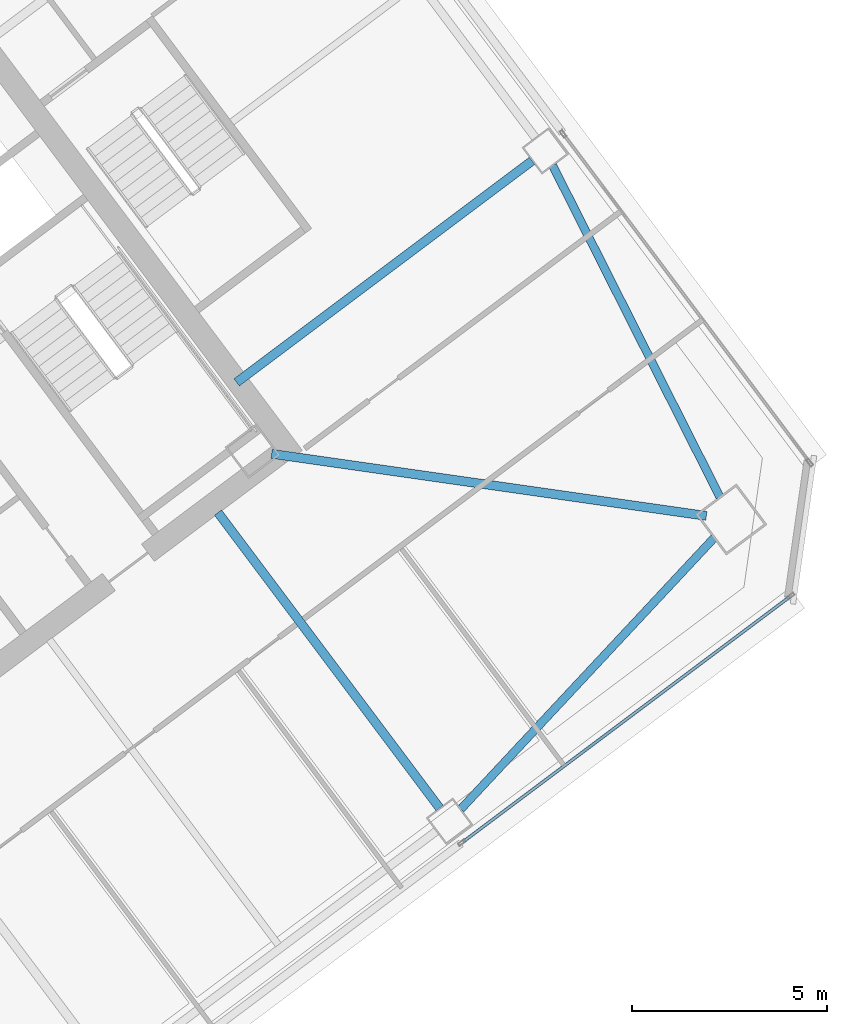
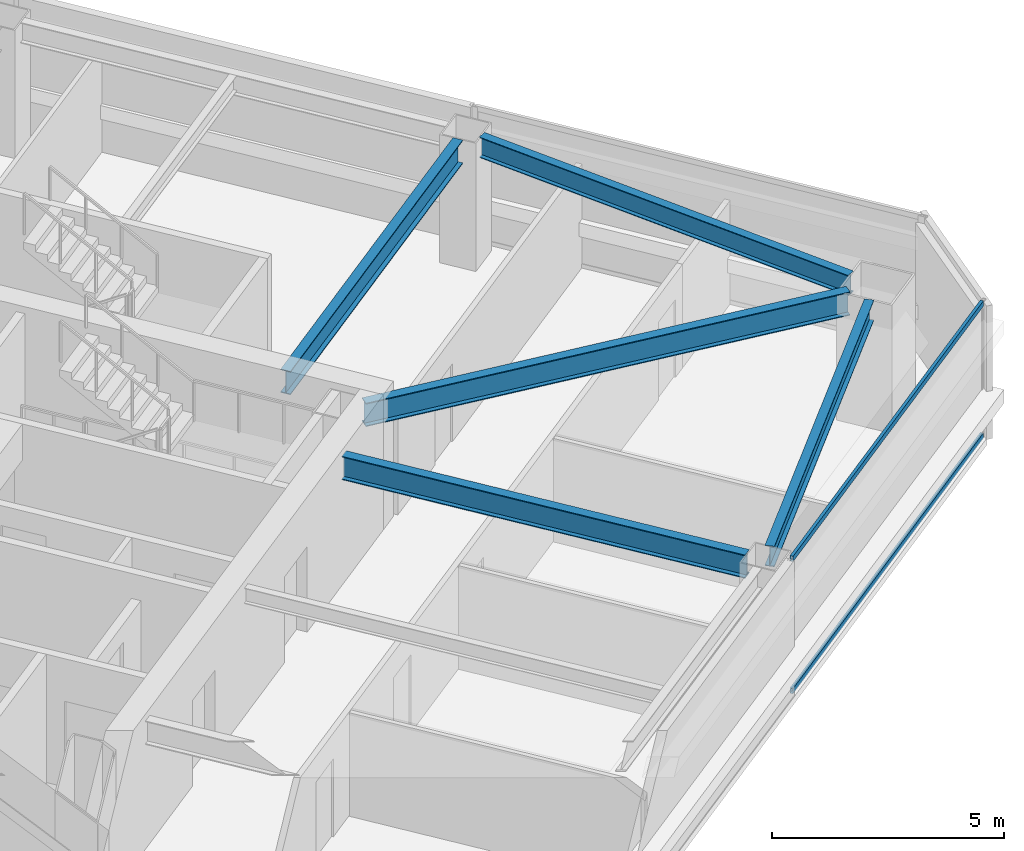
# One storey, part 23 of 41: 5 beams, 2 members, 1 element without a shape of its own.
"""IFC4 building model written with IfcOpenShell, lengths in metres."""

from ifc_helpers import new_model, si_unit, direction, frame, origin, origin_2d, place, context, subcontext, project, spatial, hollow_rectangle, i_section, extrude, material, material_profile, profile_set, type_object, element, aggregate, save


model = new_model("IFC4")

# Units and contexts
model_context = context("Model", 3, precision=1e-05, world=origin(), true_north=direction((0.0, 1.0)))
body_context = subcontext(model_context, "Body", "Model", "MODEL_VIEW")
ifc_project = project(units=[si_unit("LENGTHUNIT", "METRE"), si_unit("AREAUNIT", "SQUARE_METRE"), si_unit("VOLUMEUNIT", "CUBIC_METRE"), si_unit("PLANEANGLEUNIT", "RADIAN"), si_unit("MASSUNIT", "GRAM", prefix="KILO")], contexts=[model_context])

# Site, building, storey
site_placement = place(None, origin())
site = spatial("IfcSite", under=ifc_project, at=site_placement, CompositionType="ELEMENT")
building_placement = place(site_placement, origin())
building = spatial("IfcBuilding", under=site, at=building_placement, Name="Tashvorn Skyway Center", CompositionType="ELEMENT")
storey_placement = place(building_placement, frame((0.0, 0.0, 117.949951171875)))
storey = spatial("IfcBuildingStorey", under=building, at=storey_placement, Name="L31", CompositionType="ELEMENT", Elevation=117.949951171875)

# Beams
ifc_material_1 = material(Name="Steel ASTM A992 Grade 50", Category="steel")
ifc_material_profile_1 = material_profile(ifc_material_1, i_section(OverallWidth=0.22998046875, OverallDepth=0.616943359375, WebThickness=0.01318359375, FlangeThickness=0.022216796875, at=origin_2d()), Name="W24X94")
ifc_profile_set_1 = profile_set([ifc_material_profile_1], Name="Steel ASTM A992 Grade 50")
beam_type_1 = type_object("IfcBeamType", Name="BM-BEAM-W24X94", PredefinedType="BEAM", material=ifc_profile_set_1)
beam_1_placement = place(storey_placement, frame((135.4814453125, 28.93115234375, 3.0615234375), z_axis=(-0.989948189712, 0.141430483583, 0.0), x_axis=(-0.141430483583, -0.989948189712, 0.0)))
element("IfcBeam", 1, at=beam_1_placement, inside=storey, type_object=beam_type_1, Name="Tower 2 L31 Primary Floor Girder MC-SE", PredefinedType="BEAM", context=body_context, shape_type="SweptSolid", body=[
    extrude(i_section(OverallWidth=0.22998046875, OverallDepth=0.616943359375, WebThickness=0.01318359375, FlangeThickness=0.022216796875, at=origin_2d()), origin(), (0.0, 0.0, 1.0), 11.234375),
])
for number, where, z_axis, x_axis, name in (
    (2, (128.657958984375, 21.4560546875, 3.0615234375), (-0.599991732772, 0.800006200354, 0.0), (-0.800006200354, -0.599991732772, 0.0), "Tower 2 L31 Primary Floor Girder FC-S2"),
    (3, (131.02392578125, 38.01806640625, 3.0615234375), (-0.799984498661, -0.600020667896, 0.0), (0.600020667896, -0.799984498661, 0.0), "Tower 2 L31 Primary Floor Girder FC-E1"),
):
    element("IfcBeam", number, at=place(storey_placement, frame(where, z_axis=z_axis, x_axis=x_axis)), inside=storey, type_object=beam_type_1, Name=name, PredefinedType="BEAM", context=body_context, shape_type="SweptSolid", body=[
        extrude(i_section(OverallWidth=0.22998046875, OverallDepth=0.616943359375, WebThickness=0.01318359375, FlangeThickness=0.022216796875, at=origin_2d()), origin(), (0.0, 0.0, 1.0), 9.449951171875),
    ])
ifc_material_profile_2 = material_profile(ifc_material_1, i_section(OverallWidth=0.2109375, OverallDepth=0.5390625, WebThickness=0.01171875, FlangeThickness=0.018798828125, at=origin_2d()), Name="W21X73")
ifc_profile_set_2 = profile_set([ifc_material_profile_2], Name="Steel ASTM A992 Grade 50")
beam_type_2 = type_object("IfcBeamType", Name="BM-SPANDREL-W21X73", PredefinedType="SPANDREL", material=ifc_profile_set_2)
beam_2_placement = place(storey_placement, frame((129.19677734375, 21.427001953125, 3.1005859375), z_axis=(0.682545341102, 0.730843250868, 0.0), x_axis=(-0.730843250868, 0.682545341102, 0.0)))
element("IfcBeam", 4, at=beam_2_placement, inside=storey, type_object=beam_type_2, Name="Tower 2 L31 Spandrel Beam 03", PredefinedType="SPANDREL", context=body_context, shape_type="SweptSolid", body=[
    extrude(i_section(OverallWidth=0.2109375, OverallDepth=0.5390625, WebThickness=0.01171875, FlangeThickness=0.018798828125, at=origin_2d()), origin(), (0.0, 0.0, 1.0), 9.498046875),
])
beam_3_placement = place(storey_placement, frame((135.829345703125, 29.415771484375, 3.1005859375), z_axis=(-0.450613543136, 0.892719124217, 0.0), x_axis=(-0.892719124217, -0.450613543136, 0.0)))
element("IfcBeam", 5, at=beam_3_placement, inside=storey, type_object=beam_type_2, Name="Tower 2 L31 Spandrel Beam 04", PredefinedType="SPANDREL", context=body_context, shape_type="SweptSolid", body=[
    extrude(i_section(OverallWidth=0.2109375, OverallDepth=0.5390625, WebThickness=0.01171875, FlangeThickness=0.018798828125, at=origin_2d()), origin(), (0.0, 0.0, 1.0), 9.498291015625),
])

# Curtain wall, members
ifc_material_2 = material(Name="Thermally broken bronze-anodized aluminium 6063-T6", Category="aluminium")
curtain_wall_type = type_object("IfcCurtainWallType", Name="CW-CW-Z3", PredefinedType="NOTDEFINED", material=ifc_material_2)
curtain_wall_placement = place(storey_placement, origin())
curtain_wall = element("IfcCurtainWall", 6, at=curtain_wall_placement, inside=storey, type_object=curtain_wall_type, Name="Tower 2 L31 South Unitised Curtain Wall Glazing Group 1", PredefinedType="NOTDEFINED")
ifc_material_profile_3 = material_profile(ifc_material_2, hollow_rectangle(XDim=0.074951171875, YDim=0.139892578125, WallThickness=0.004150390625, at=origin_2d()), Name="ALU-TRAN-75x140")
ifc_profile_set_3 = profile_set([ifc_material_profile_3], Name="Thermally broken bronze-anodized aluminium 6063-T6")
member_type = type_object("IfcMemberType", Name="CWT-CW-Z3", PredefinedType="USERDEFINED", material=ifc_profile_set_3)
member_1_placement = place(storey_placement, frame((137.612060546875, 26.85888671875, 0.03759765625), z_axis=(-0.800002807101, -0.599996257181, 0.0), x_axis=(0.599996257181, -0.800002807101, 0.0)))
member_1 = element("IfcMember", 7, at=member_1_placement, type_object=member_type, Name="CW-Z3 transom 1.1", ObjectType="TRANSOM", PredefinedType="USERDEFINED", context=body_context, shape_type="SweptSolid", body=[
    extrude(hollow_rectangle(XDim=0.074951171875, YDim=0.139892578125, WallThickness=0.004150390625, at=origin_2d()), origin(), (0.0, 0.0, 1.0), 10.436767578125),
])
member_2_placement = place(storey_placement, frame((137.612060546875, 26.85888671875, 3.512451171875), z_axis=(-0.800002807101, -0.599996257181, 0.0), x_axis=(0.599996257181, -0.800002807101, 0.0)))
member_2 = element("IfcMember", 8, at=member_2_placement, type_object=member_type, Name="CW-Z3 transom 1.2", ObjectType="TRANSOM", PredefinedType="USERDEFINED", context=body_context, shape_type="SweptSolid", body=[
    extrude(hollow_rectangle(XDim=0.074951171875, YDim=0.139892578125, WallThickness=0.004150390625, at=origin_2d()), origin(), (0.0, 0.0, 1.0), 10.436767578125),
])
aggregate(curtain_wall, [member_1, member_2])

save(model, "model.ifc")
